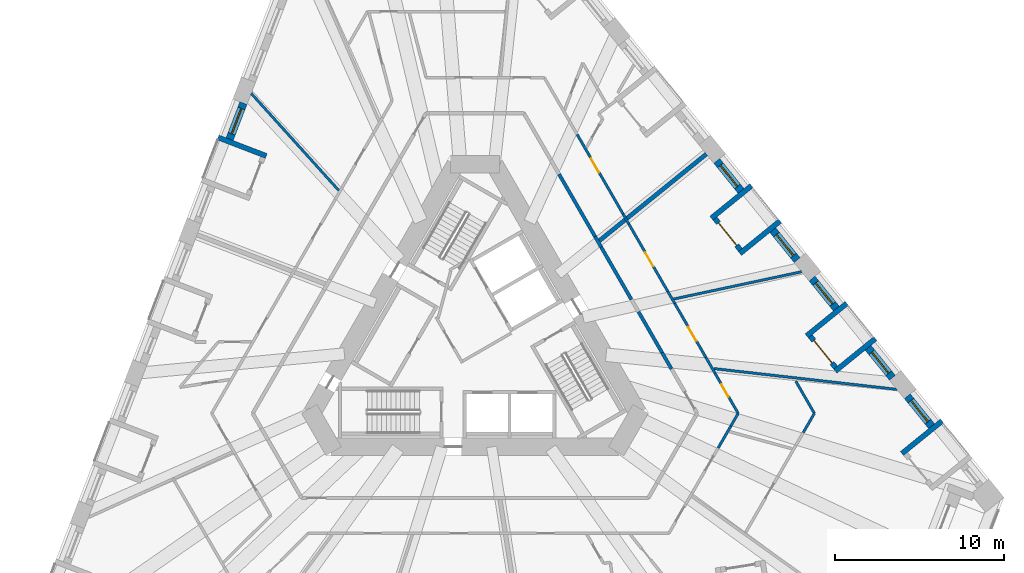
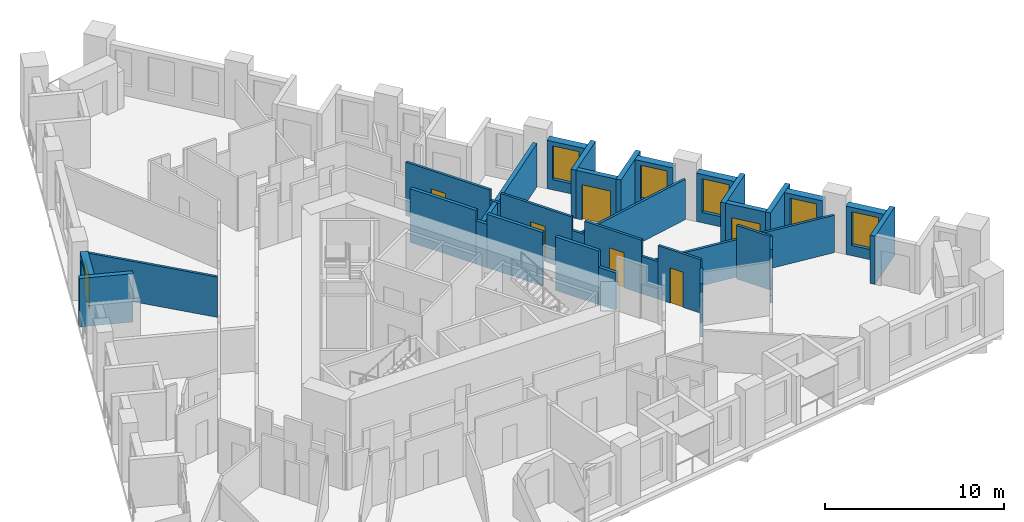
# One storey, part 7 of 14: 34 walls, 6 doors, 6 windows, 12 openings.
"""IFC4 building model written with IfcOpenShell, lengths in metres."""

import ifcopenshell
import ifcopenshell.guid

model = None  # the IFC model being written
_history = None  # IfcOwnerHistory: only IFC2X3 demands one
_inside = {}  # id of a spatial element -> (the spatial element, [elements in it])
_under = {}  # id of a project, library or spatial element -> (it, [spatial elements below it])
_declared = {}  # id of a project -> (the project, [libraries it declares])
_typed = {}  # id of a type object -> (the type object, [elements of that type])
_made_of = {}  # id of a material, layer set ... -> (it, [elements and type objects made of it])


def new_model(schema):
    """Start an empty IFC model of exactly this schema.

    Asked for "IFC4X3", IfcOpenShell would pick the latest addendum, in which some entities
    have other attributes; the version numbers below select the first issue.
    IFC2X3 requires an IfcOwnerHistory on every rooted entity: one is made here for all.
    """
    global model, _history
    if schema == "IFC4X3":
        model = ifcopenshell.file(schema_version=(4, 3, 0, 0))
    else:
        model = ifcopenshell.file(schema=schema)
    _inside.clear()
    _under.clear()
    _declared.clear()
    _typed.clear()
    _made_of.clear()
    _history = None
    if model.schema == "IFC2X3":
        org = make("IfcOrganization", Name="unknown")
        user = make(
            "IfcPersonAndOrganization",
            ThePerson=make("IfcPerson", FamilyName="unknown"),
            TheOrganization=org,
        )
        app = make(
            "IfcApplication",
            ApplicationDeveloper=org,
            Version="unknown",
            ApplicationFullName="unknown",
            ApplicationIdentifier="unknown",
        )
        _history = make(
            "IfcOwnerHistory",
            OwningUser=user,
            OwningApplication=app,
            ChangeAction="ADDED",
            CreationDate=0,
        )
    return model


def make(cls, **values):
    """One entity of the class cls with the attributes given. An attribute that is None is left unset."""
    return model.create_entity(
        cls, **{name: value for name, value in values.items() if value is not None}
    )


def rooted(cls, **values):
    """An entity with a GlobalId (a new one), such as an element, a storey or a relation."""
    return make(cls, GlobalId=ifcopenshell.guid.new(), OwnerHistory=_history, **values)


def si_unit(unit_type, name, prefix=None):
    """IfcSIUnit, for example si_unit("LENGTHUNIT", "METRE", prefix="MILLI")."""
    return make("IfcSIUnit", UnitType=unit_type, Prefix=prefix, Name=name)


def assignment(units):
    """IfcUnitAssignment: the units of a project."""
    return None if units is None else make("IfcUnitAssignment", Units=units)


def point(xyz):
    """IfcCartesianPoint."""
    return None if xyz is None else make("IfcCartesianPoint", Coordinates=xyz)


def direction(xyz):
    """IfcDirection."""
    return None if xyz is None else make("IfcDirection", DirectionRatios=xyz)


def frame(location, z_axis=None, x_axis=None):
    """IfcAxis2Placement3D, a coordinate frame: its origin and axes. An axis left out is left unset."""
    return make(
        "IfcAxis2Placement3D",
        Location=point(location),
        Axis=direction(z_axis),
        RefDirection=direction(x_axis),
    )


def frame_2d(location, x_axis=None):
    """IfcAxis2Placement2D, a coordinate frame in the plane: its origin and x axis."""
    return make(
        "IfcAxis2Placement2D", Location=point(location), RefDirection=direction(x_axis)
    )


def origin():
    """The frame at (0, 0, 0) with its axes left unset."""
    return frame((0.0, 0.0, 0.0))


def place(relative_to, where):
    """IfcLocalPlacement: puts the frame where relative to a parent placement (None: the world)."""
    return make(
        "IfcLocalPlacement", PlacementRelTo=relative_to, RelativePlacement=where
    )


def context(
    kind, dimensions, precision=None, world=None, true_north=None, identifier=None
):
    """IfcGeometricRepresentationContext, for example the 3D "Model" context."""
    return make(
        "IfcGeometricRepresentationContext",
        ContextIdentifier=identifier,
        ContextType=kind,
        CoordinateSpaceDimension=dimensions,
        Precision=precision,
        WorldCoordinateSystem=world,
        TrueNorth=true_north,
    )


def subcontext(parent, identifier, kind, view, scale=None):
    """IfcGeometricRepresentationSubContext, for example "Body" below "Model"."""
    return make(
        "IfcGeometricRepresentationSubContext",
        ContextIdentifier=identifier,
        ContextType=kind,
        ParentContext=parent,
        TargetScale=scale,
        TargetView=view,
    )


def project(units=None, contexts=None):
    """IfcProject with its units and contexts."""
    return rooted(
        "IfcProject",
        Name="project",
        RepresentationContexts=contexts,
        UnitsInContext=assignment(units),
    )


def spatial(cls, under=None, at=None, **own):
    """A site, building, storey or space (cls), placed at a placement, below another one or the project."""
    s = rooted(cls, ObjectPlacement=at, **own)
    if under is not None:
        _under.setdefault(under.id(), (under, []))[1].append(s)
    return s


def profile(cls, at=None, kind="AREA", **sizes):
    """A parametric profile (cls). Its sizes go by their IFC names, for example OverallWidth=200.0."""
    return make(cls, ProfileType=kind, Position=at, **sizes)


def rectangle(**sizes):
    """IfcRectangleProfileDef."""
    return profile("IfcRectangleProfileDef", **sizes)


def extrude(swept, where, along, depth):
    """IfcExtrudedAreaSolid: the profile swept, set in the frame where, extruded along a direction by depth."""
    return make(
        "IfcExtrudedAreaSolid",
        SweptArea=swept,
        Position=where,
        ExtrudedDirection=direction(along),
        Depth=depth,
    )


def shape(context_of_items, identifier, shape_type, items):
    """IfcShapeRepresentation: the items that make up one representation, for example the "Body"."""
    return make(
        "IfcShapeRepresentation",
        ContextOfItems=context_of_items,
        RepresentationIdentifier=identifier,
        RepresentationType=shape_type,
        Items=items,
    )


def material(Name=None, Category=None):
    """IfcMaterial."""
    return make("IfcMaterial", Name=Name, Category=Category)


def layer(
    of_material, thickness, ventilated=None, Name=None, Category=None, Priority=None
):
    """IfcMaterialLayer: one layer of a wall or slab, of a material (None: an air gap)."""
    return make(
        "IfcMaterialLayer",
        Material=of_material,
        LayerThickness=thickness,
        IsVentilated=ventilated,
        Name=Name,
        Category=Category,
        Priority=Priority,
    )


def layer_set(layers, Name=None):
    """IfcMaterialLayerSet."""
    return make("IfcMaterialLayerSet", MaterialLayers=layers, LayerSetName=Name)


def made_of(thing, what):
    """Note that an element or type object is made of a material, layer set ...; save() writes the relation."""
    if what is not None:
        _made_of.setdefault(what.id(), (what, []))[1].append(thing)
    return thing


def type_object(cls, material=None, **own):
    """A type object (cls), such as IfcWallType, which elements share."""
    return made_of(rooted(cls, **own), material)


def element(
    cls,
    number,
    at=None,
    inside=None,
    cuts=None,
    type_object=None,
    material=None,
    context=None,
    identifier="Body",
    shape_type=None,
    held_by="IfcProductDefinitionShape",
    body=None,
    shapes=None,
    **own,
):
    """One element of the class cls, such as IfcWall. Its Tag is "e" and its number.

    at: its placement. inside: the storey or other place that contains it. cuts: it is an
    opening in that element (IfcRelVoidsElement). A single representation is given by context,
    identifier, shape_type and body (its items); several are given by shapes. held_by: the class
    of the entity that holds the representations. save() writes the other relations.
    """
    e = rooted(cls, Tag="e%d" % number, ObjectPlacement=at, **own)
    if body is not None:
        shapes = [shape(context, identifier, shape_type, body)]
    if shapes is not None:
        e.Representation = make(held_by, Representations=shapes)
    if inside is not None:
        _inside.setdefault(inside.id(), (inside, []))[1].append(e)
    if cuts is not None:
        rooted(
            "IfcRelVoidsElement", RelatingBuildingElement=cuts, RelatedOpeningElement=e
        )
    if type_object is not None:
        _typed.setdefault(type_object.id(), (type_object, []))[1].append(e)
    return made_of(e, material)


def fill(opening, filler):
    """IfcRelFillsElement: the door or window that sits in an opening."""
    return rooted(
        "IfcRelFillsElement",
        RelatingOpeningElement=opening,
        RelatedBuildingElement=filler,
    )


def aggregate(whole, parts):
    """IfcRelAggregates: a whole, such as a stair, and the parts it consists of."""
    return rooted("IfcRelAggregates", RelatingObject=whole, RelatedObjects=parts)


def save(model, path):
    """Write the relations noted so far, then the file.

    IfcRelAggregates (storeys below a building ...), IfcRelContainedInSpatialStructure (elements
    in a storey), IfcRelDefinesByType, IfcRelAssociatesMaterial and IfcRelDeclares: one each for
    every whole, place, type object, material and project.
    """
    for whole, parts in _under.values():
        aggregate(whole, parts)
    for where, things in _inside.values():
        rooted(
            "IfcRelContainedInSpatialStructure",
            RelatedElements=things,
            RelatingStructure=where,
        )
    for kind, things in _typed.values():
        rooted("IfcRelDefinesByType", RelatedObjects=things, RelatingType=kind)
    for what, things in _made_of.values():
        rooted("IfcRelAssociatesMaterial", RelatedObjects=things, RelatingMaterial=what)
    for by, libraries in _declared.values():
        rooted("IfcRelDeclares", RelatingContext=by, RelatedDefinitions=libraries)
    model.write(path)


model = new_model("IFC4")

# Units and contexts
model_context = context("Model", 3, precision=1e-05, world=origin(), true_north=direction((0.0, 1.0)))
body_context = subcontext(model_context, "Body", "Model", "MODEL_VIEW")
ifc_project = project(units=[si_unit("LENGTHUNIT", "METRE"), si_unit("AREAUNIT", "SQUARE_METRE"), si_unit("VOLUMEUNIT", "CUBIC_METRE"), si_unit("PLANEANGLEUNIT", "RADIAN"), si_unit("MASSUNIT", "GRAM", prefix="KILO")], contexts=[model_context])

# Site, building, storey
site_placement = place(None, origin())
site = spatial("IfcSite", under=ifc_project, at=site_placement, CompositionType="ELEMENT")
building_placement = place(site_placement, origin())
building = spatial("IfcBuilding", under=site, at=building_placement, Name="Tramontana Tower", CompositionType="ELEMENT")
storey_placement = place(building_placement, frame((0.0, 0.0, 59.199951171875)))
storey = spatial("IfcBuildingStorey", under=building, at=storey_placement, Name="L12", CompositionType="ELEMENT", Elevation=59.199951171875)

# Walls
ifc_material_1 = material(Name="Blockwork", Category="masonry")
ifc_layer_1 = layer(ifc_material_1, 0.199951171875)
ifc_layer_set_1 = layer_set([ifc_layer_1], Name="ENTRY WALL 200")
wall_type_1 = type_object("IfcWallType", Name="ENTRY WALL 200", PredefinedType="SOLIDWALL", material=ifc_layer_set_1)
wall_1_placement = place(storey_placement, frame((4.97265625, 9.88720703125, 0.0), z_axis=(0.0, 0.0, 1.0), x_axis=(0.500000470374, -0.866025132214, 0.0)))
element("IfcWall", 1, at=wall_1_placement, inside=storey, type_object=wall_type_1, Name="Wall v10-ew0-2", PredefinedType="SOLIDWALL", context=body_context, shape_type="SweptSolid", body=[
    extrude(rectangle(XDim=4.2568359375, YDim=0.199951171875, at=frame_2d((2.12841796875, 0.0))), origin(), (0.0, 0.0, 1.0), 3.650146484375),
])
wall_2_placement = place(storey_placement, frame((7.10107421875, 6.20068359375, 0.0), z_axis=(0.0, 0.0, 1.0), x_axis=(0.499881507708, -0.866093804534, 0.0)))
element("IfcWall", 2, at=wall_2_placement, inside=storey, type_object=wall_type_1, Name="Wall v10-ew0-3", PredefinedType="SOLIDWALL", context=body_context, shape_type="SweptSolid", body=[
    extrude(rectangle(XDim=0.708740234375, YDim=0.199951171875, at=frame_2d((0.3544921875, 0.0))), origin(), (0.0, 0.0, 1.0), 2.949951171875),
])
wall_3_placement = place(storey_placement, frame((7.455322265625, 5.5869140625, 0.0), z_axis=(0.0, 0.0, 1.0), x_axis=(0.500013241293, -0.866017758786, 0.0)))
element("IfcWall", 3, at=wall_3_placement, inside=storey, type_object=wall_type_1, Name="Wall v10-ew0-4", PredefinedType="SOLIDWALL", context=body_context, shape_type="SweptSolid", body=[
    extrude(rectangle(XDim=3.58544921875, YDim=0.199951171875, at=frame_2d((1.792724609375, 0.0))), origin(), (0.0, 0.0, 1.0), 3.650146484375),
])
wall_4_placement = place(storey_placement, frame((9.667236328125, 1.756103515625, 0.0), z_axis=(0.0, 0.0, 1.0), x_axis=(0.499964529649, -0.866045881633, 0.0)))
element("IfcWall", 4, at=wall_4_placement, inside=storey, type_object=wall_type_1, Name="Wall v10-ew0-6", PredefinedType="SOLIDWALL", context=body_context, shape_type="SweptSolid", body=[
    extrude(rectangle(XDim=2.793701171875, YDim=0.199951171875, at=frame_2d((1.39697265625, 0.0))), origin(), (0.0, 0.0, 1.0), 3.650146484375),
])
wall_5_placement = place(storey_placement, frame((11.06396484375, -0.663330078125, 0.0), z_axis=(0.0, 0.0, 1.0), x_axis=(0.499951133605, -0.866053614973, 0.0)))
element("IfcWall", 5, at=wall_5_placement, inside=storey, type_object=wall_type_1, Name="Wall v10-ew0-7", PredefinedType="SOLIDWALL", context=body_context, shape_type="SweptSolid", body=[
    extrude(rectangle(XDim=1.10888671875, YDim=0.199951171875, at=frame_2d((0.554443359375, 0.0))), origin(), (0.0, 0.0, 1.0), 2.550048828125),
])

# Wall, opening, window
ifc_material_2 = material(Name="Precast concrete 60 MPa", Category="concrete")
ifc_layer_2 = layer(ifc_material_2, 0.449951171875)
ifc_layer_set_2 = layer_set([ifc_layer_2], Name="Precast concrete 60 MPa, 450 mm")
wall_type_2 = type_object("IfcWallType", Name="EW1 Stone-faced precast wall 450", PredefinedType="SOLIDWALL", material=ifc_layer_set_2)
wall_6_placement = place(storey_placement, frame((-13.684814453125, 14.0888671875, 0.0), z_axis=(0.0, 0.0, 1.0), x_axis=(-0.35844875217, -0.933549405264, 0.0)))
wall_6 = element("IfcWall", 6, at=wall_6_placement, inside=storey, type_object=wall_type_2, Name="External wall L12 face 0 bay 3", PredefinedType="SOLIDWALL", context=body_context, shape_type="SweptSolid", body=[
    extrude(rectangle(XDim=2.282958984375, YDim=0.449951171875, at=frame_2d((1.1416015625, 0.0))), origin(), (0.0, 0.0, 1.0), 3.300048828125),
])
opening_1_placement = place(wall_6_placement, frame((0.341552734375, 0.0, 0.699951171875)))
opening_1 = element("IfcOpeningElement", 7, at=opening_1_placement, cuts=wall_6, Name="Opening M1", PredefinedType="OPENING", context=body_context, shape_type="SweptSolid", body=[
    extrude(rectangle(XDim=1.60009765625, YDim=2.300048828125, at=frame_2d((0.800048828125, 1.14990234375))), frame((0.0, 0.23486328125, 0.0), z_axis=(0.0, -1.0, 0.0), x_axis=(1.0, 0.0, 0.0)), (0.0, 0.0, 1.0), 0.469970703125),
])
ifc_material_3 = material(Name="Aluminum frame, double glazing unit", Category="aluminium")
window_type = type_object("IfcWindowType", Name="M1 Window 1.6 x 2.3", PartitioningType="SINGLE_PANEL", PredefinedType="WINDOW", material=ifc_material_3)
window_1_placement = place(opening_1_placement, origin())
window_1 = element("IfcWindow", 8, at=window_1_placement, inside=storey, type_object=window_type, Name="Window M1 L12 face 0 module 7", OverallHeight=2.300048828125, OverallWidth=1.60009765625, PartitioningType="SINGLE_PANEL", PredefinedType="WINDOW", context=body_context, shape_type="SweptSolid", body=[
    extrude(rectangle(XDim=1.60009765625, YDim=2.300048828125, at=frame_2d((0.800048828125, 1.14990234375))), frame((0.0, 0.030029296875, 0.0), z_axis=(0.0, -1.0, 0.0), x_axis=(1.0, 0.0, 0.0)), (0.0, 0.0, 1.0), 0.06005859375),
])
fill(opening_1, window_1)

wall_7_placement = place(storey_placement, frame((26.993408203125, -5.009765625, 0.0), z_axis=(0.0, 0.0, 1.0), x_axis=(-0.629339730135, 0.777130300576, 0.0)))
wall_7 = element("IfcWall", 9, at=wall_7_placement, inside=storey, type_object=wall_type_2, Name="External wall L12 face 2 bay 1", PredefinedType="SOLIDWALL", context=body_context, shape_type="SweptSolid", body=[
    extrude(rectangle(XDim=2.282958984375, YDim=0.449951171875, at=frame_2d((1.1416015625, 0.0))), origin(), (0.0, 0.0, 1.0), 3.300048828125),
])
opening_2_placement = place(wall_7_placement, frame((0.341552734375, 0.0, 0.699951171875)))
opening_2 = element("IfcOpeningElement", 10, at=opening_2_placement, cuts=wall_7, Name="Opening M1", PredefinedType="OPENING", context=body_context, shape_type="SweptSolid", body=[
    extrude(rectangle(XDim=1.60009765625, YDim=2.300048828125, at=frame_2d((0.800048828125, 1.14990234375))), frame((0.0, 0.23486328125, 0.0), z_axis=(0.0, -1.0, 0.0), x_axis=(1.0, 0.0, 0.0)), (0.0, 0.0, 1.0), 0.469970703125),
])
window_2_placement = place(opening_2_placement, origin())
window_2 = element("IfcWindow", 11, at=window_2_placement, inside=storey, type_object=window_type, Name="Window M1 L12 face 2 module 3", OverallHeight=2.300048828125, OverallWidth=1.60009765625, PartitioningType="SINGLE_PANEL", PredefinedType="WINDOW", context=body_context, shape_type="SweptSolid", body=[
    extrude(rectangle(XDim=1.60009765625, YDim=2.300048828125, at=frame_2d((0.800048828125, 1.14990234375))), frame((0.0, 0.030029296875, 0.0), z_axis=(0.0, -1.0, 0.0), x_axis=(1.0, 0.0, 0.0)), (0.0, 0.0, 1.0), 0.06005859375),
])
fill(opening_2, window_2)

wall_8_placement = place(storey_placement, frame((24.675537109375, -2.147705078125, 0.0), z_axis=(0.0, 0.0, 1.0), x_axis=(-0.629287431131, 0.777172650716, 0.0)))
wall_8 = element("IfcWall", 12, at=wall_8_placement, inside=storey, type_object=wall_type_2, Name="External wall L12 face 2 bay 2", PredefinedType="SOLIDWALL", context=body_context, shape_type="SweptSolid", body=[
    extrude(rectangle(XDim=2.283203125, YDim=0.449951171875, at=frame_2d((1.1416015625, 0.0))), origin(), (0.0, 0.0, 1.0), 3.300048828125),
])
opening_3_placement = place(wall_8_placement, frame((0.341552734375, 0.0, 0.699951171875)))
opening_3 = element("IfcOpeningElement", 13, at=opening_3_placement, cuts=wall_8, Name="Opening M1", PredefinedType="OPENING", context=body_context, shape_type="SweptSolid", body=[
    extrude(rectangle(XDim=1.60009765625, YDim=2.300048828125, at=frame_2d((0.800048828125, 1.14990234375))), frame((0.0, 0.23486328125, 0.0), z_axis=(0.0, -1.0, 0.0), x_axis=(1.0, 0.0, 0.0)), (0.0, 0.0, 1.0), 0.469970703125),
])
window_3_placement = place(opening_3_placement, origin())
window_3 = element("IfcWindow", 14, at=window_3_placement, inside=storey, type_object=window_type, Name="Window M1 L12 face 2 module 4", OverallHeight=2.300048828125, OverallWidth=1.60009765625, PartitioningType="SINGLE_PANEL", PredefinedType="WINDOW", context=body_context, shape_type="SweptSolid", body=[
    extrude(rectangle(XDim=1.60009765625, YDim=2.300048828125, at=frame_2d((0.800048828125, 1.14990234375))), frame((0.0, 0.030029296875, 0.0), z_axis=(0.0, -1.0, 0.0), x_axis=(1.0, 0.0, 0.0)), (0.0, 0.0, 1.0), 0.06005859375),
])
fill(opening_3, window_3)

wall_9_placement = place(storey_placement, frame((21.361572265625, 1.94482421875, 0.0), z_axis=(0.0, 0.0, 1.0), x_axis=(-0.629339730135, 0.777130300576, 0.0)))
wall_9 = element("IfcWall", 15, at=wall_9_placement, inside=storey, type_object=wall_type_2, Name="External wall L12 face 2 bay 2", PredefinedType="SOLIDWALL", context=body_context, shape_type="SweptSolid", body=[
    extrude(rectangle(XDim=2.282958984375, YDim=0.449951171875, at=frame_2d((1.1416015625, 0.0))), origin(), (0.0, 0.0, 1.0), 3.300048828125),
])
opening_4_placement = place(wall_9_placement, frame((0.341552734375, 0.0, 0.699951171875)))
opening_4 = element("IfcOpeningElement", 16, at=opening_4_placement, cuts=wall_9, Name="Opening M1", PredefinedType="OPENING", context=body_context, shape_type="SweptSolid", body=[
    extrude(rectangle(XDim=1.60009765625, YDim=2.300048828125, at=frame_2d((0.800048828125, 1.14990234375))), frame((0.0, 0.23486328125, 0.0), z_axis=(0.0, -1.0, 0.0), x_axis=(1.0, 0.0, 0.0)), (0.0, 0.0, 1.0), 0.469970703125),
])
window_4_placement = place(opening_4_placement, origin())
window_4 = element("IfcWindow", 17, at=window_4_placement, inside=storey, type_object=window_type, Name="Window M1 L12 face 2 module 6", OverallHeight=2.300048828125, OverallWidth=1.60009765625, PartitioningType="SINGLE_PANEL", PredefinedType="WINDOW", context=body_context, shape_type="SweptSolid", body=[
    extrude(rectangle(XDim=1.60009765625, YDim=2.300048828125, at=frame_2d((0.800048828125, 1.14990234375))), frame((0.0, 0.030029296875, 0.0), z_axis=(0.0, -1.0, 0.0), x_axis=(1.0, 0.0, 0.0)), (0.0, 0.0, 1.0), 0.06005859375),
])
fill(opening_4, window_4)

wall_10_placement = place(storey_placement, frame((19.0439453125, 4.80712890625, 0.0), z_axis=(0.0, 0.0, 1.0), x_axis=(-0.629339730135, 0.777130300576, 0.0)))
wall_10 = element("IfcWall", 18, at=wall_10_placement, inside=storey, type_object=wall_type_2, Name="External wall L12 face 2 bay 3", PredefinedType="SOLIDWALL", context=body_context, shape_type="SweptSolid", body=[
    extrude(rectangle(XDim=2.282958984375, YDim=0.449951171875, at=frame_2d((1.1416015625, 0.0))), origin(), (0.0, 0.0, 1.0), 3.300048828125),
])
opening_5_placement = place(wall_10_placement, frame((0.341552734375, 0.0, 0.699951171875)))
opening_5 = element("IfcOpeningElement", 19, at=opening_5_placement, cuts=wall_10, Name="Opening M1", PredefinedType="OPENING", context=body_context, shape_type="SweptSolid", body=[
    extrude(rectangle(XDim=1.60009765625, YDim=2.300048828125, at=frame_2d((0.800048828125, 1.14990234375))), frame((0.0, 0.23486328125, 0.0), z_axis=(0.0, -1.0, 0.0), x_axis=(1.0, 0.0, 0.0)), (0.0, 0.0, 1.0), 0.469970703125),
])
window_5_placement = place(opening_5_placement, origin())
window_5 = element("IfcWindow", 20, at=window_5_placement, inside=storey, type_object=window_type, Name="Window M1 L12 face 2 module 7", OverallHeight=2.300048828125, OverallWidth=1.60009765625, PartitioningType="SINGLE_PANEL", PredefinedType="WINDOW", context=body_context, shape_type="SweptSolid", body=[
    extrude(rectangle(XDim=1.60009765625, YDim=2.300048828125, at=frame_2d((0.800048828125, 1.14990234375))), frame((0.0, 0.030029296875, 0.0), z_axis=(0.0, -1.0, 0.0), x_axis=(1.0, 0.0, 0.0)), (0.0, 0.0, 1.0), 0.06005859375),
])
fill(opening_5, window_5)

wall_11_placement = place(storey_placement, frame((15.72998046875, 8.8994140625, 0.0), z_axis=(0.0, 0.0, 1.0), x_axis=(-0.629339730135, 0.777130300576, 0.0)))
wall_11 = element("IfcWall", 21, at=wall_11_placement, inside=storey, type_object=wall_type_2, Name="External wall L12 face 2 bay 3", PredefinedType="SOLIDWALL", context=body_context, shape_type="SweptSolid", body=[
    extrude(rectangle(XDim=2.282958984375, YDim=0.449951171875, at=frame_2d((1.1416015625, 0.0))), origin(), (0.0, 0.0, 1.0), 3.300048828125),
])
opening_6_placement = place(wall_11_placement, frame((0.341552734375, 0.0, 0.699951171875)))
opening_6 = element("IfcOpeningElement", 22, at=opening_6_placement, cuts=wall_11, Name="Opening M1", PredefinedType="OPENING", context=body_context, shape_type="SweptSolid", body=[
    extrude(rectangle(XDim=1.60009765625, YDim=2.300048828125, at=frame_2d((0.800048828125, 1.14990234375))), frame((0.0, 0.23486328125, 0.0), z_axis=(0.0, -1.0, 0.0), x_axis=(1.0, 0.0, 0.0)), (0.0, 0.0, 1.0), 0.469970703125),
])
window_6_placement = place(opening_6_placement, origin())
window_6 = element("IfcWindow", 23, at=window_6_placement, inside=storey, type_object=window_type, Name="Window M1 L12 face 2 module 9", OverallHeight=2.300048828125, OverallWidth=1.60009765625, PartitioningType="SINGLE_PANEL", PredefinedType="WINDOW", context=body_context, shape_type="SweptSolid", body=[
    extrude(rectangle(XDim=1.60009765625, YDim=2.300048828125, at=frame_2d((0.800048828125, 1.14990234375))), frame((0.0, 0.030029296875, 0.0), z_axis=(0.0, -1.0, 0.0), x_axis=(1.0, 0.0, 0.0)), (0.0, 0.0, 1.0), 0.06005859375),
])
fill(opening_6, window_6)

# Walls
ifc_material_4 = material(Name="Precast concrete 60 MPa", Category="concrete")
ifc_layer_3 = layer(ifc_material_4, 0.300048828125)
ifc_layer_set_3 = layer_set([ifc_layer_3], Name="LW1 Stone-faced loggia wall 300")
wall_type_3 = type_object("IfcWallType", Name="LW1 Stone-faced loggia wall 300", PredefinedType="SOLIDWALL", material=ifc_layer_set_3)
for number, where, z_axis, x_axis, name in (
    (24, (-15.18701171875, 12.0595703125, 0.0), (0.0, 0.0, 1.0), (0.933580593625, -0.358367514161, 0.0), "Loggia return L12 G1S0.7a"),
    (25, (27.6123046875, -4.70166015625, 0.0), (0.0, 0.0, 1.0), (-0.777153523895, -0.629311052102, 0.0), "Loggia return L12 G1S2.1b"),
):
    element("IfcWall", number, at=place(storey_placement, frame(where, z_axis=z_axis, x_axis=x_axis)), inside=storey, type_object=wall_type_3, Name=name, PredefinedType="SOLIDWALL", context=body_context, shape_type="SweptSolid", body=[
        extrude(rectangle(XDim=3.050048828125, YDim=0.300048828125, at=frame_2d((1.52490234375, 0.0))), origin(), (0.0, 0.0, 1.0), 3.300048828125),
    ])

# Wall, opening, door
wall_12_placement = place(storey_placement, frame((21.32080078125, -1.54052734375, 0.0), z_axis=(0.0, 0.0, 1.0), x_axis=(-0.629257171563, 0.777197151331, 0.0)))
wall_12 = element("IfcWall", 26, at=wall_12_placement, inside=storey, type_object=wall_type_3, Name="Loggia wall L12 G1S2.4", PredefinedType="SOLIDWALL", context=body_context, shape_type="SweptSolid", body=[
    extrude(rectangle(XDim=2.383056640625, YDim=0.300048828125, at=frame_2d((1.19140625, 0.0))), origin(), (0.0, 0.0, 1.0), 3.300048828125),
])
opening_7_placement = place(wall_12_placement, frame((0.341552734375, 0.0, 0.0)))
opening_7 = element("IfcOpeningElement", 27, at=opening_7_placement, cuts=wall_12, Name="Opening BD-1S2-04", PredefinedType="OPENING", context=body_context, shape_type="SweptSolid", body=[
    extrude(rectangle(XDim=1.699951171875, YDim=2.39990234375, at=frame_2d((0.85009765625, 1.199951171875))), frame((0.0, 0.159912109375, 0.0), z_axis=(0.0, -1.0, 0.0), x_axis=(1.0, 0.0, 0.0)), (0.0, 0.0, 1.0), 0.320068359375),
])
ifc_material_5 = material(Name="Aluminum frame, double glazing unit", Category="aluminium")
door_type_1 = type_object("IfcDoorType", Name="BD1 Sliding door 1.7 x 2.4", OperationType="SLIDING_TO_LEFT", PredefinedType="DOOR", material=ifc_material_5)
door_1_placement = place(opening_7_placement, origin())
door_1 = element("IfcDoor", 28, at=door_1_placement, inside=storey, type_object=door_type_1, Name="Loggia door L12 G1S2.4", OperationType="SLIDING_TO_LEFT", OverallHeight=2.39990234375, OverallWidth=1.699951171875, PredefinedType="DOOR", context=body_context, shape_type="SweptSolid", body=[
    extrude(rectangle(XDim=1.699951171875, YDim=2.39990234375, at=frame_2d((0.85009765625, 1.199951171875))), frame((0.0, 0.02490234375, 0.0), z_axis=(0.0, -1.0, 0.0), x_axis=(1.0, 0.0, 0.0)), (0.0, 0.0, 1.0), 0.050048828125),
])
fill(opening_7, door_1)

# Walls
for number, where, z_axis, x_axis, name in (
    (29, (23.6689453125, 0.16796875, 0.0), (0.0, 0.0, 1.0), (-0.777121820661, -0.629350201281, 0.0), "Loggia return L12 G1S2.4a"),
    (30, (21.98046875, 2.2529296875, 0.0), (0.0, 0.0, 1.0), (-0.777121820661, -0.629350201281, 0.0), "Loggia return L12 G1S2.4b"),
):
    element("IfcWall", number, at=place(storey_placement, frame(where, z_axis=z_axis, x_axis=x_axis)), inside=storey, type_object=wall_type_3, Name=name, PredefinedType="SOLIDWALL", context=body_context, shape_type="SweptSolid", body=[
        extrude(rectangle(XDim=3.0498046875, YDim=0.300048828125, at=frame_2d((1.52490234375, 0.0))), origin(), (0.0, 0.0, 1.0), 3.300048828125),
    ])

# Wall, opening, door
wall_13_placement = place(storey_placement, frame((15.689208984375, 5.4140625, 0.0), z_axis=(0.0, 0.0, 1.0), x_axis=(-0.629319049918, 0.777147047482, 0.0)))
wall_13 = element("IfcWall", 31, at=wall_13_placement, inside=storey, type_object=wall_type_3, Name="Loggia wall L12 G1S2.7", PredefinedType="SOLIDWALL", context=body_context, shape_type="SweptSolid", body=[
    extrude(rectangle(XDim=2.383056640625, YDim=0.300048828125, at=frame_2d((1.19140625, 0.0))), origin(), (0.0, 0.0, 1.0), 3.300048828125),
])
opening_8_placement = place(wall_13_placement, frame((0.341552734375, 0.0, 0.0)))
opening_8 = element("IfcOpeningElement", 32, at=opening_8_placement, cuts=wall_13, Name="Opening BD-1S2-07", PredefinedType="OPENING", context=body_context, shape_type="SweptSolid", body=[
    extrude(rectangle(XDim=1.699951171875, YDim=2.39990234375, at=frame_2d((0.85009765625, 1.199951171875))), frame((0.0, 0.159912109375, 0.0), z_axis=(0.0, -1.0, 0.0), x_axis=(1.0, 0.0, 0.0)), (0.0, 0.0, 1.0), 0.320068359375),
])
door_2_placement = place(opening_8_placement, origin())
door_2 = element("IfcDoor", 33, at=door_2_placement, inside=storey, type_object=door_type_1, Name="Loggia door L12 G1S2.7", OperationType="SLIDING_TO_LEFT", OverallHeight=2.39990234375, OverallWidth=1.699951171875, PredefinedType="DOOR", context=body_context, shape_type="SweptSolid", body=[
    extrude(rectangle(XDim=1.699951171875, YDim=2.39990234375, at=frame_2d((0.85009765625, 1.199951171875))), frame((0.0, 0.02490234375, 0.0), z_axis=(0.0, -1.0, 0.0), x_axis=(1.0, 0.0, 0.0)), (0.0, 0.0, 1.0), 0.050048828125),
])
fill(opening_8, door_2)

# Walls
for number, where, z_axis, x_axis, name in (
    (34, (18.037353515625, 7.12255859375, 0.0), (0.0, 0.0, 1.0), (-0.777153523895, -0.629311052102, 0.0), "Loggia return L12 G1S2.7a"),
    (35, (16.348876953125, 9.207763671875, 0.0), (0.0, 0.0, 1.0), (-0.777153523895, -0.629311052102, 0.0), "Loggia return L12 G1S2.7b"),
):
    element("IfcWall", number, at=place(storey_placement, frame(where, z_axis=z_axis, x_axis=x_axis)), inside=storey, type_object=wall_type_3, Name=name, PredefinedType="SOLIDWALL", context=body_context, shape_type="SweptSolid", body=[
        extrude(rectangle(XDim=3.050048828125, YDim=0.300048828125, at=frame_2d((1.52490234375, 0.0))), origin(), (0.0, 0.0, 1.0), 3.300048828125),
    ])
ifc_material_6 = material(Name="Gypsum board partition")
ifc_layer_4 = layer(ifc_material_6, 0.14990234375)
ifc_layer_set_4 = layer_set([ifc_layer_4], Name="PARTITION 150")
wall_type_4 = type_object("IfcWallType", Name="PARTITION 150", PredefinedType="PARTITIONING", material=ifc_layer_set_4)
wall_14_placement = place(storey_placement, frame((-8.04345703125, 8.918212890625, 0.0), z_axis=(0.0, 0.0, 1.0), x_axis=(-0.669776960547, 0.742562336185, 0.0)))
element("IfcWall", 36, at=wall_14_placement, inside=storey, type_object=wall_type_4, Name="Wall v10-pw12-0", PredefinedType="PARTITIONING", context=body_context, shape_type="SweptSolid", body=[
    extrude(rectangle(XDim=7.73486328125, YDim=0.14990234375, at=frame_2d((3.867431640625, 0.0))), origin(), (0.0, 0.0, 1.0), 2.75),
])

# Wall, opening, door
wall_15_placement = place(storey_placement, frame((6.038330078125, 12.241455078125, 0.0), z_axis=(0.0, 0.0, 1.0), x_axis=(0.500003308737, -0.866023493476, 0.0)))
wall_15 = element("IfcWall", 37, at=wall_15_placement, inside=storey, type_object=wall_type_4, Name="Wall v10-pw23-2", PredefinedType="PARTITIONING", context=body_context, shape_type="SweptSolid", body=[
    extrude(rectangle(XDim=5.44287109375, YDim=0.14990234375, at=frame_2d((2.721435546875, 0.0))), origin(), (0.0, 0.0, 1.0), 3.650146484375),
])
opening_9_placement = place(wall_15_placement, frame((1.639892578125, 0.0, 0.0)))
opening_9 = element("IfcOpeningElement", 38, at=opening_9_placement, cuts=wall_15, Name="Opening B1A-05", PredefinedType="OPENING", context=body_context, shape_type="SweptSolid", body=[
    extrude(rectangle(XDim=0.949951171875, YDim=2.39990234375, at=frame_2d((0.47509765625, 1.199951171875))), frame((0.0, 0.0849609375, 0.0), z_axis=(0.0, -1.0, 0.0), x_axis=(1.0, 0.0, 0.0)), (0.0, 0.0, 1.0), 0.169921875),
])
ifc_material_7 = material(Name="Painted timber", Category="wood")
door_type_2 = type_object("IfcDoorType", Name="DOOR ROOM 950", OperationType="SINGLE_SWING_LEFT", PredefinedType="DOOR", material=ifc_material_7)
door_3_placement = place(opening_9_placement, origin())
door_3 = element("IfcDoor", 39, at=door_3_placement, inside=storey, type_object=door_type_2, Name="Door B1A-05", OperationType="SINGLE_SWING_LEFT", OverallHeight=2.39990234375, OverallWidth=0.949951171875, PredefinedType="DOOR", context=body_context, shape_type="SweptSolid", body=[
    extrude(rectangle(XDim=0.949951171875, YDim=2.39990234375, at=frame_2d((0.47509765625, 1.199951171875))), frame((0.0, 0.02490234375, 0.0), z_axis=(0.0, -1.0, 0.0), x_axis=(1.0, 0.0, 0.0)), (0.0, 0.0, 1.0), 0.050048828125),
])
fill(opening_9, door_3)

# Wall
wall_16_placement = place(storey_placement, frame((8.759765625, 7.52783203125, 0.0), z_axis=(0.0, 0.0, 1.0), x_axis=(0.499712146016, -0.866191532586, 0.0)))
element("IfcWall", 40, at=wall_16_placement, inside=storey, type_object=wall_type_4, Name="Wall v10-pw23-3", PredefinedType="PARTITIONING", context=body_context, shape_type="SweptSolid", body=[
    extrude(rectangle(XDim=0.68359375, YDim=0.14990234375, at=frame_2d((0.341796875, 0.0))), origin(), (0.0, 0.0, 1.0), 2.949951171875),
])

# Wall, opening, door
wall_17_placement = place(storey_placement, frame((9.101318359375, 6.935791015625, 0.0), z_axis=(0.0, 0.0, 1.0), x_axis=(0.500008794324, -0.866020326319, 0.0)))
wall_17 = element("IfcWall", 41, at=wall_17_placement, inside=storey, type_object=wall_type_4, Name="Wall v10-pw23-4", PredefinedType="PARTITIONING", context=body_context, shape_type="SweptSolid", body=[
    extrude(rectangle(XDim=4.6005859375, YDim=0.14990234375, at=frame_2d((2.30029296875, 0.0))), origin(), (0.0, 0.0, 1.0), 3.650146484375),
])
opening_10_placement = place(wall_17_placement, frame((1.92236328125, 0.0, 0.0)))
opening_10 = element("IfcOpeningElement", 42, at=opening_10_placement, cuts=wall_17, Name="Opening B1A-24", PredefinedType="OPENING", context=body_context, shape_type="SweptSolid", body=[
    extrude(rectangle(XDim=0.949951171875, YDim=2.39990234375, at=frame_2d((0.47509765625, 1.199951171875))), frame((0.0, 0.0849609375, 0.0), z_axis=(0.0, -1.0, 0.0), x_axis=(1.0, 0.0, 0.0)), (0.0, 0.0, 1.0), 0.169921875),
])
door_4_placement = place(opening_10_placement, origin())
door_4 = element("IfcDoor", 43, at=door_4_placement, inside=storey, type_object=door_type_2, Name="Door B1A-24", OperationType="SINGLE_SWING_RIGHT", OverallHeight=2.39990234375, OverallWidth=0.949951171875, PredefinedType="DOOR", context=body_context, shape_type="SweptSolid", body=[
    extrude(rectangle(XDim=0.949951171875, YDim=2.39990234375, at=frame_2d((0.47509765625, 1.199951171875))), frame((0.0, 0.02490234375, 0.0), z_axis=(0.0, -1.0, 0.0), x_axis=(1.0, 0.0, 0.0)), (0.0, 0.0, 1.0), 0.050048828125),
])
fill(opening_10, door_4)

# Wall
wall_18_placement = place(storey_placement, frame((11.401611328125, 2.95166015625, 0.0), z_axis=(0.0, 0.0, 1.0), x_axis=(0.500147393723, -0.865940289253, 0.0)))
element("IfcWall", 44, at=wall_18_placement, inside=storey, type_object=wall_type_4, Name="Wall v10-pw23-5", PredefinedType="PARTITIONING", context=body_context, shape_type="SweptSolid", body=[
    extrude(rectangle(XDim=0.812255859375, YDim=0.14990234375, at=frame_2d((0.40625, 0.0))), origin(), (0.0, 0.0, 1.0), 2.75),
])

# Wall, opening, door
wall_19_placement = place(storey_placement, frame((11.807861328125, 2.248291015625, 0.0), z_axis=(0.0, 0.0, 1.0), x_axis=(0.500002145574, -0.866024165033, 0.0)))
wall_19 = element("IfcWall", 45, at=wall_19_placement, inside=storey, type_object=wall_type_4, Name="Wall v10-pw23-6", PredefinedType="PARTITIONING", context=body_context, shape_type="SweptSolid", body=[
    extrude(rectangle(XDim=3.67724609375, YDim=0.14990234375, at=frame_2d((1.838623046875, 0.0))), origin(), (0.0, 0.0, 1.0), 3.650146484375),
])
opening_11_placement = place(wall_19_placement, frame((1.603515625, 0.0, 0.0)))
opening_11 = element("IfcOpeningElement", 46, at=opening_11_placement, cuts=wall_19, Name="Opening B1A-23", PredefinedType="OPENING", context=body_context, shape_type="SweptSolid", body=[
    extrude(rectangle(XDim=0.949951171875, YDim=2.39990234375, at=frame_2d((0.47509765625, 1.199951171875))), frame((0.0, 0.0849609375, 0.0), z_axis=(0.0, -1.0, 0.0), x_axis=(1.0, 0.0, 0.0)), (0.0, 0.0, 1.0), 0.169921875),
])
door_5_placement = place(opening_11_placement, origin())
door_5 = element("IfcDoor", 47, at=door_5_placement, inside=storey, type_object=door_type_2, Name="Door B1A-23", OperationType="SINGLE_SWING_LEFT", OverallHeight=2.39990234375, OverallWidth=0.949951171875, PredefinedType="DOOR", context=body_context, shape_type="SweptSolid", body=[
    extrude(rectangle(XDim=0.949951171875, YDim=2.39990234375, at=frame_2d((0.47509765625, 1.199951171875))), frame((0.0, 0.02490234375, 0.0), z_axis=(0.0, -1.0, 0.0), x_axis=(1.0, 0.0, 0.0)), (0.0, 0.0, 1.0), 0.050048828125),
])
fill(opening_11, door_5)

# Wall
wall_20_placement = place(storey_placement, frame((13.646484375, -0.936279296875, 0.0), z_axis=(0.0, 0.0, 1.0), x_axis=(0.499938053331, -0.866061165757, 0.0)))
element("IfcWall", 48, at=wall_20_placement, inside=storey, type_object=wall_type_4, Name="Wall v10-pw23-7", PredefinedType="PARTITIONING", context=body_context, shape_type="SweptSolid", body=[
    extrude(rectangle(XDim=1.078369140625, YDim=0.14990234375, at=frame_2d((0.5390625, 0.0))), origin(), (0.0, 0.0, 1.0), 2.550048828125),
])

# Wall, opening, door
wall_21_placement = place(storey_placement, frame((14.185546875, -1.8701171875, 0.0), z_axis=(0.0, 0.0, 1.0), x_axis=(0.499999305434, -0.866025804792, 0.0)))
wall_21 = element("IfcWall", 49, at=wall_21_placement, inside=storey, type_object=wall_type_4, Name="Wall v10-pw23-8", PredefinedType="PARTITIONING", context=body_context, shape_type="SweptSolid", body=[
    extrude(rectangle(XDim=2.748046875, YDim=0.14990234375, at=frame_2d((1.3740234375, 0.0))), origin(), (0.0, 0.0, 1.0), 3.650146484375),
])
opening_12_placement = place(wall_21_placement, frame((0.767822265625, 0.0, 0.0)))
opening_12 = element("IfcOpeningElement", 50, at=opening_12_placement, cuts=wall_21, Name="Opening B1A-20", PredefinedType="OPENING", context=body_context, shape_type="SweptSolid", body=[
    extrude(rectangle(XDim=0.85009765625, YDim=2.39990234375, at=frame_2d((0.425048828125, 1.199951171875))), frame((0.0, 0.0849609375, 0.0), z_axis=(0.0, -1.0, 0.0), x_axis=(1.0, 0.0, 0.0)), (0.0, 0.0, 1.0), 0.169921875),
])
ifc_material_8 = material(Name="Painted timber", Category="wood")
door_type_3 = type_object("IfcDoorType", Name="DOOR BATH 850", OperationType="SINGLE_SWING_LEFT", PredefinedType="DOOR", material=ifc_material_8)
door_6_placement = place(opening_12_placement, origin())
door_6 = element("IfcDoor", 51, at=door_6_placement, inside=storey, type_object=door_type_3, Name="Door B1A-20", OperationType="SINGLE_SWING_RIGHT", OverallHeight=2.39990234375, OverallWidth=0.85009765625, PredefinedType="DOOR", context=body_context, shape_type="SweptSolid", body=[
    extrude(rectangle(XDim=0.85009765625, YDim=2.39990234375, at=frame_2d((0.425048828125, 1.199951171875))), frame((0.0, 0.02490234375, 0.0), z_axis=(0.0, -1.0, 0.0), x_axis=(1.0, 0.0, 0.0)), (0.0, 0.0, 1.0), 0.050048828125),
])
fill(opening_12, door_6)

# Walls
wall_22_placement = place(storey_placement, frame((11.7451171875, 2.5068359375, 0.0), z_axis=(0.0, 0.0, 1.0), x_axis=(0.97797299527, 0.208731455516, 0.0)))
element("IfcWall", 52, at=wall_22_placement, inside=storey, type_object=wall_type_4, Name="Wall v10-pw36-0", PredefinedType="PARTITIONING", context=body_context, shape_type="SweptSolid", body=[
    extrude(rectangle(XDim=7.73486328125, YDim=0.14990234375, at=frame_2d((3.867431640625, 0.0))), origin(), (0.0, 0.0, 1.0), 2.75),
])
wall_23_placement = place(storey_placement, frame((14.118408203125, -1.603759765625, 0.0), z_axis=(0.0, 0.0, 1.0), x_axis=(0.993609026083, -0.112876495722, 0.0)))
element("IfcWall", 53, at=wall_23_placement, inside=storey, type_object=wall_type_4, Name="Wall v10-pw38-0", PredefinedType="PARTITIONING", context=body_context, shape_type="SweptSolid", body=[
    extrude(rectangle(XDim=10.892333984375, YDim=0.14990234375, at=frame_2d((5.4462890625, 0.0))), origin(), (0.0, 0.0, 1.0), 2.550048828125),
])
wall_24_placement = place(storey_placement, frame((15.5595703125, -4.25, 0.0), z_axis=(0.0, 0.0, 1.0), x_axis=(-0.500003763204, -0.866023231087, 0.0)))
element("IfcWall", 54, at=wall_24_placement, inside=storey, type_object=wall_type_4, Name="Wall v10-pw40-0", PredefinedType="PARTITIONING", context=body_context, shape_type="SweptSolid", body=[
    extrude(rectangle(XDim=0.87646484375, YDim=0.14990234375, at=frame_2d((0.438232421875, 0.0))), origin(), (0.0, 0.0, 1.0), 2.550048828125),
])
wall_25_placement = place(storey_placement, frame((15.121337890625, -5.009033203125, 0.0), z_axis=(0.0, 0.0, 1.0), x_axis=(-0.500025795397, -0.866010510293, 0.0)))
element("IfcWall", 55, at=wall_25_placement, inside=storey, type_object=wall_type_4, Name="Wall v10-pw40-1", PredefinedType="PARTITIONING", context=body_context, shape_type="SweptSolid", body=[
    extrude(rectangle(XDim=1.486328125, YDim=0.14990234375, at=frame_2d((0.7431640625, 0.0))), origin(), (0.0, 0.0, 1.0), 3.650146484375),
])
wall_26_placement = place(storey_placement, frame((18.96728515625, -2.35205078125, 0.0), z_axis=(0.0, 0.0, 1.0), x_axis=(0.499973180286, -0.8660408876, 0.0)))
element("IfcWall", 56, at=wall_26_placement, inside=storey, type_object=wall_type_4, Name="Wall v10-pw41-1", PredefinedType="PARTITIONING", context=body_context, shape_type="SweptSolid", body=[
    extrude(rectangle(XDim=2.19140625, YDim=0.14990234375, at=frame_2d((1.095703125, 0.0))), origin(), (0.0, 0.0, 1.0), 3.650146484375),
])
wall_27_placement = place(storey_placement, frame((20.06298828125, -4.25, 0.0), z_axis=(0.0, 0.0, 1.0), x_axis=(-0.500103875667, -0.865965422833, 0.0)))
element("IfcWall", 57, at=wall_27_placement, inside=storey, type_object=wall_type_4, Name="Wall v10-pw42-0", PredefinedType="PARTITIONING", context=body_context, shape_type="SweptSolid", body=[
    extrude(rectangle(XDim=1.311279296875, YDim=0.14990234375, at=frame_2d((0.65576171875, 0.0))), origin(), (0.0, 0.0, 1.0), 3.650146484375),
])
ifc_material_9 = material(Name="Blockwork", Category="masonry")
ifc_layer_5 = layer(ifc_material_9, 0.25)
ifc_layer_set_5 = layer_set([ifc_layer_5], Name="PARTY WALL 250")
wall_type_5 = type_object("IfcWallType", Name="PARTY WALL 250", PredefinedType="SOLIDWALL", material=ifc_layer_set_5)
wall_28_placement = place(storey_placement, frame((13.677734375, 11.075927734375, 0.0), z_axis=(0.0, 0.0, 1.0), x_axis=(-0.777150492193, -0.629314796015, 0.0)))
element("IfcWall", 58, at=wall_28_placement, inside=storey, type_object=wall_type_5, Name="Wall v10-pw37-0", PredefinedType="SOLIDWALL", context=body_context, shape_type="SweptSolid", body=[
    extrude(rectangle(XDim=8.13330078125, YDim=0.25, at=frame_2d((4.066650390625, 0.0))), origin(), (0.0, 0.0, 1.0), 2.949951171875),
])

save(model, "model.ifc")
